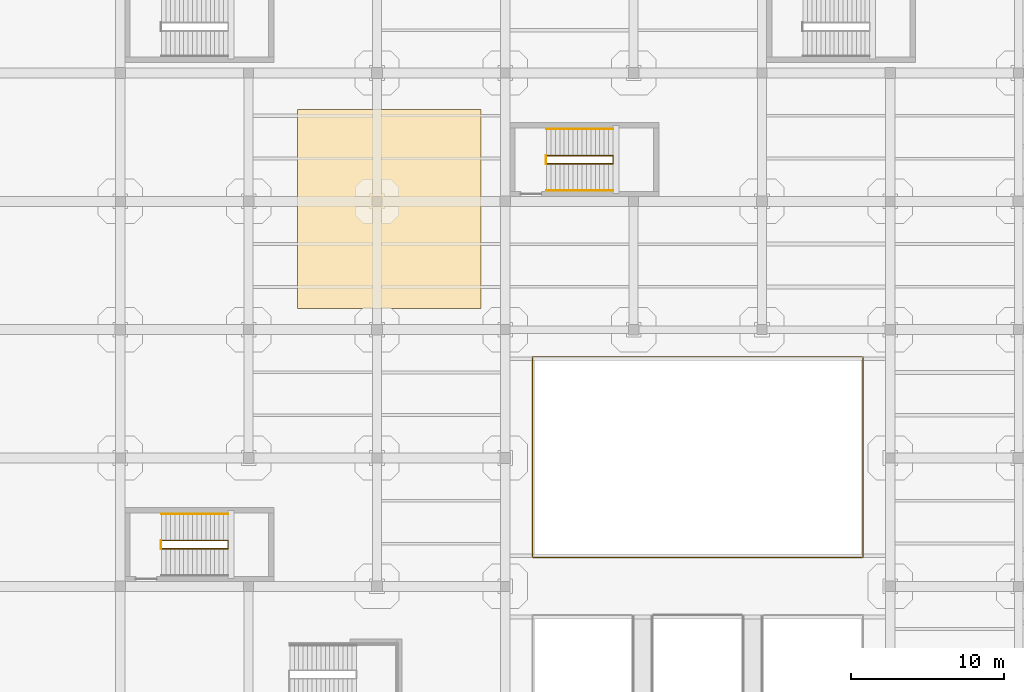
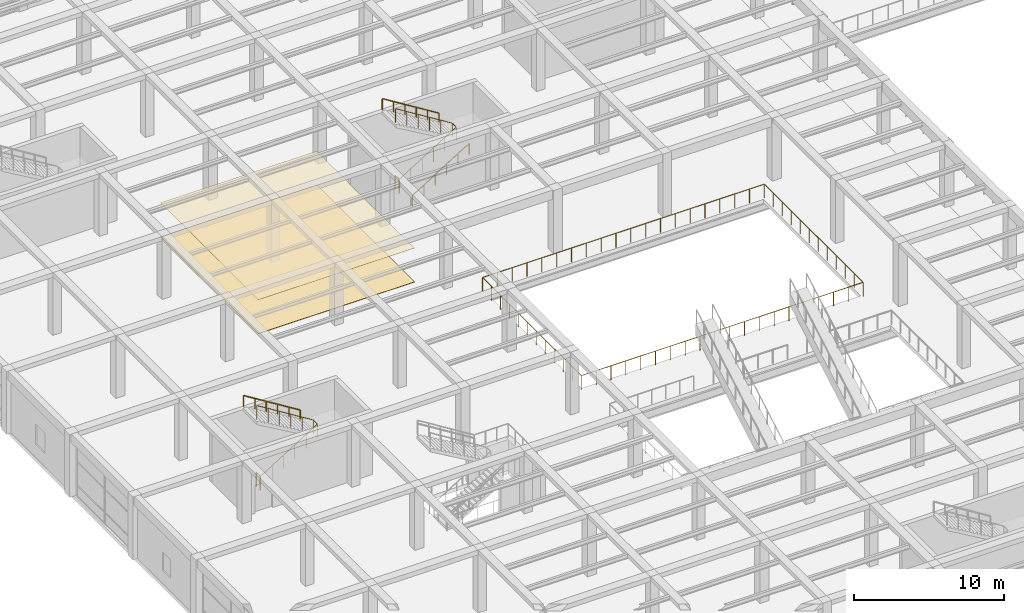
# One storey, part 88 of 95: 8 railings, 2 coverings.
"""IFC4 building model written with IfcOpenShell, lengths in metres."""

from ifc_helpers import new_model, si_unit, direction, frame, origin, origin_2d, place, context, subcontext, project, spatial, polyline, circle, outline, extrude, material, layer, layer_set, type_object, element, save


model = new_model("IFC4")

# Units and contexts
model_context = context("Model", 3, precision=1e-05, world=origin(), true_north=direction((0.0, 1.0)))
body_context = subcontext(model_context, "Body", "Model", "MODEL_VIEW")
ifc_project = project(units=[si_unit("LENGTHUNIT", "METRE"), si_unit("AREAUNIT", "SQUARE_METRE"), si_unit("VOLUMEUNIT", "CUBIC_METRE"), si_unit("PLANEANGLEUNIT", "RADIAN"), si_unit("MASSUNIT", "GRAM", prefix="KILO")], contexts=[model_context])

# Site, building, storey
site_placement = place(None, origin())
site = spatial("IfcSite", under=ifc_project, at=site_placement, CompositionType="ELEMENT")
building_placement = place(site_placement, origin())
building = spatial("IfcBuilding", under=site, at=building_placement, Name="Almacenes y Pasaje Nevantli", CompositionType="ELEMENT")
storey_placement = place(building_placement, frame((0.0, 0.0, 11.39990234375)))
storey = spatial("IfcBuildingStorey", under=building, at=storey_placement, Name="L03", CompositionType="ELEMENT", Elevation=11.39990234375)

# Coverings
ifc_material_1 = material(Name="Perforated Acoustic Mineral Fiber Ceiling", Category="gypsum")
ifc_layer_1 = layer(ifc_material_1, 0.02001953125)
ifc_layer_set_1 = layer_set([ifc_layer_1], Name="Perforated Acoustic Mineral Fiber Ceiling")
covering_type_1 = type_object("IfcCoveringType", Name="COV-CEIL-ACU", PredefinedType="CEILING", material=ifc_layer_set_1)
covering_1_placement = place(storey_placement, frame((0.0, 0.0, 2.75)))
element("IfcCovering", 1, at=covering_1_placement, inside=storey, type_object=covering_type_1, Name="L03 Suspended Acoustic Ceiling Panel", PredefinedType="CEILING", context=body_context, shape_type="SweptSolid", body=[
    extrude(outline(polyline([(20.0, 77.0), (32.0, 77.0), (32.0, 90.0), (20.0, 90.0), (20.0, 77.0)])), origin(), (0.0, 0.0, 1.0), 0.02001953125),
])
ifc_material_2 = material(Name="Polished Toluca Stone Terrazzo Flooring", Category="masonry")
ifc_layer_2 = layer(ifc_material_2, 0.02490234375)
ifc_layer_set_2 = layer_set([ifc_layer_2], Name="Polished Toluca Stone Terrazzo Flooring")
covering_type_2 = type_object("IfcCoveringType", Name="COV-FLR-TERRAZZO", PredefinedType="FLOORING", material=ifc_layer_set_2)
covering_2_placement = place(storey_placement, origin())
element("IfcCovering", 2, at=covering_2_placement, inside=storey, type_object=covering_type_2, Name="L03 Polished Stone Terrazzo Floor Finish", PredefinedType="FLOORING", context=body_context, shape_type="SweptSolid", body=[
    extrude(outline(polyline([(20.0, 77.0), (32.0, 77.0), (32.0, 90.0), (20.0, 90.0), (20.0, 77.0)])), origin(), (0.0, 0.0, 1.0), 0.025146484375),
])

# Railings
ifc_material_3 = material(Name="Brushed Stainless Steel and Tempered Safety Glass", Category="steel")
railing_type_1 = type_object("IfcRailingType", Name="RL-GUARD-1100", PredefinedType="BALUSTRADE", material=ifc_material_3)
railing_1_placement = place(storey_placement, frame((11.10009765625, 61.260009765625, 0.0)))
element("IfcRailing", 3, at=railing_1_placement, inside=storey, type_object=railing_type_1, Name="L03 Stair ST-12 Inner Well Guard Balustrade", PredefinedType="BALUSTRADE", context=body_context, shape_type="SweptSolid", body=[
    extrude(circle(Radius=0.02392578125, at=origin_2d()), frame((0.025390625, 0.0, 1.1416015625), z_axis=(0.849615114927, 0.0, 0.52740322002), x_axis=(0.0, 1.0, 0.0)), (0.0, 0.0, 1.0), 5.059814453125),
    extrude(circle(Radius=0.02392578125, at=origin_2d()), frame((4.349853515625, 0.030029296875, 3.826171875), z_axis=(0.0, 1.0, 0.0), x_axis=(-1.0, 0.0, 0.0)), (0.0, 0.0, 1.0), 0.469970703125),
    extrude(circle(Radius=0.02392578125, at=origin_2d()), frame((4.324462890625, 0.530029296875, 3.841796875), z_axis=(-0.849636482215, 0.0, 0.527368797038), x_axis=(0.0, -1.0, 0.0)), (0.0, 0.0, 1.0), 5.0595703125),
    extrude(circle(Radius=0.02099609375, at=origin_2d()), origin(), (0.0, 0.0, 1.0), 1.096923828125),
    extrude(circle(Radius=0.02099609375, at=origin_2d()), frame((0.869873046875, 0.0, 0.5400390625)), (0.0, 0.0, 1.0), 1.096923828125),
    extrude(circle(Radius=0.02099609375, at=origin_2d()), frame((1.739990234375, 0.0, 1.080078125)), (0.0, 0.0, 1.0), 1.096923828125),
    extrude(circle(Radius=0.02099609375, at=origin_2d()), frame((2.60986328125, 0.0, 1.6201171875)), (0.0, 0.0, 1.0), 1.096923828125),
    extrude(circle(Radius=0.02099609375, at=origin_2d()), frame((3.47998046875, 0.0, 2.16015625)), (0.0, 0.0, 1.0), 1.096923828125),
    extrude(circle(Radius=0.02099609375, at=origin_2d()), frame((4.349853515625, 0.0, 2.7001953125)), (0.0, 0.0, 1.0), 1.096923828125),
    extrude(circle(Radius=0.02099609375, at=origin_2d()), frame((4.349853515625, 0.530029296875, 2.7001953125)), (0.0, 0.0, 1.0), 1.096923828125),
    extrude(circle(Radius=0.02099609375, at=origin_2d()), frame((3.47998046875, 0.530029296875, 3.240234375)), (0.0, 0.0, 1.0), 1.096923828125),
    extrude(circle(Radius=0.02099609375, at=origin_2d()), frame((2.60986328125, 0.530029296875, 3.7802734375)), (0.0, 0.0, 1.0), 1.096923828125),
    extrude(circle(Radius=0.02099609375, at=origin_2d()), frame((1.739990234375, 0.530029296875, 4.320068359375)), (0.0, 0.0, 1.0), 1.096923828125),
    extrude(circle(Radius=0.02099609375, at=origin_2d()), frame((0.869873046875, 0.530029296875, 4.860107421875)), (0.0, 0.0, 1.0), 1.096923828125),
    extrude(circle(Radius=0.02099609375, at=origin_2d()), frame((0.0, 0.530029296875, 5.400146484375)), (0.0, 0.0, 1.0), 1.096923828125),
])
railing_2_placement = place(storey_placement, frame((11.06005859375, 61.260009765625, 0.0)))
element("IfcRailing", 4, at=railing_2_placement, inside=storey, type_object=railing_type_1, Name="L03 Stair ST-12 Landing Well Slot Guard", PredefinedType="BALUSTRADE", context=body_context, shape_type="SweptSolid", body=[
    extrude(circle(Radius=0.02392578125, at=origin_2d()), frame((0.0, 0.030029296875, 1.1259765625), z_axis=(0.0, 1.0, 0.0), x_axis=(-1.0, 0.0, 0.0)), (0.0, 0.0, 1.0), 0.469970703125),
    extrude(circle(Radius=0.02099609375, at=origin_2d()), origin(), (0.0, 0.0, 1.0), 1.096923828125),
    extrude(circle(Radius=0.02099609375, at=origin_2d()), frame((0.0, 0.530029296875, 0.0)), (0.0, 0.0, 1.0), 1.096923828125),
])
railing_3_placement = place(storey_placement, frame((36.300048828125, 86.4599609375, 0.0)))
element("IfcRailing", 5, at=railing_3_placement, inside=storey, type_object=railing_type_1, Name="L03 Stair ST-15 Inner Well Guard Balustrade", PredefinedType="BALUSTRADE", context=body_context, shape_type="SweptSolid", body=[
    extrude(circle(Radius=0.02392578125, at=origin_2d()), frame((0.025390625, 0.0, 1.1416015625), z_axis=(0.849615114927, 0.0, 0.52740322002), x_axis=(0.0, 1.0, 0.0)), (0.0, 0.0, 1.0), 5.059814453125),
    extrude(circle(Radius=0.02392578125, at=origin_2d()), frame((4.349853515625, 0.030029296875, 3.826171875), z_axis=(0.0, 1.0, 0.0), x_axis=(-1.0, 0.0, 0.0)), (0.0, 0.0, 1.0), 0.469970703125),
    extrude(circle(Radius=0.02392578125, at=origin_2d()), frame((4.324462890625, 0.530029296875, 3.841796875), z_axis=(-0.849636482215, 0.0, 0.527368797038), x_axis=(0.0, -1.0, 0.0)), (0.0, 0.0, 1.0), 5.0595703125),
    extrude(circle(Radius=0.02099609375, at=origin_2d()), origin(), (0.0, 0.0, 1.0), 1.096923828125),
    extrude(circle(Radius=0.02099609375, at=origin_2d()), frame((0.869873046875, 0.0, 0.5400390625)), (0.0, 0.0, 1.0), 1.096923828125),
    extrude(circle(Radius=0.02099609375, at=origin_2d()), frame((1.739990234375, 0.0, 1.080078125)), (0.0, 0.0, 1.0), 1.096923828125),
    extrude(circle(Radius=0.02099609375, at=origin_2d()), frame((2.60986328125, 0.0, 1.6201171875)), (0.0, 0.0, 1.0), 1.096923828125),
    extrude(circle(Radius=0.02099609375, at=origin_2d()), frame((3.47998046875, 0.0, 2.16015625)), (0.0, 0.0, 1.0), 1.096923828125),
    extrude(circle(Radius=0.02099609375, at=origin_2d()), frame((4.349853515625, 0.0, 2.7001953125)), (0.0, 0.0, 1.0), 1.096923828125),
    extrude(circle(Radius=0.02099609375, at=origin_2d()), frame((4.349853515625, 0.530029296875, 2.7001953125)), (0.0, 0.0, 1.0), 1.096923828125),
    extrude(circle(Radius=0.02099609375, at=origin_2d()), frame((3.47998046875, 0.530029296875, 3.240234375)), (0.0, 0.0, 1.0), 1.096923828125),
    extrude(circle(Radius=0.02099609375, at=origin_2d()), frame((2.60986328125, 0.530029296875, 3.7802734375)), (0.0, 0.0, 1.0), 1.096923828125),
    extrude(circle(Radius=0.02099609375, at=origin_2d()), frame((1.739990234375, 0.530029296875, 4.320068359375)), (0.0, 0.0, 1.0), 1.096923828125),
    extrude(circle(Radius=0.02099609375, at=origin_2d()), frame((0.869873046875, 0.530029296875, 4.860107421875)), (0.0, 0.0, 1.0), 1.096923828125),
    extrude(circle(Radius=0.02099609375, at=origin_2d()), frame((0.0, 0.530029296875, 5.400146484375)), (0.0, 0.0, 1.0), 1.096923828125),
])
railing_4_placement = place(storey_placement, frame((36.260009765625, 86.4599609375, 0.0)))
element("IfcRailing", 6, at=railing_4_placement, inside=storey, type_object=railing_type_1, Name="L03 Stair ST-15 Landing Well Slot Guard", PredefinedType="BALUSTRADE", context=body_context, shape_type="SweptSolid", body=[
    extrude(circle(Radius=0.02392578125, at=origin_2d()), frame((0.0, 0.030029296875, 1.1259765625), z_axis=(0.0, 1.0, 0.0), x_axis=(-1.0, 0.0, 0.0)), (0.0, 0.0, 1.0), 0.469970703125),
    extrude(circle(Radius=0.02099609375, at=origin_2d()), origin(), (0.0, 0.0, 1.0), 1.096923828125),
    extrude(circle(Radius=0.02099609375, at=origin_2d()), frame((0.0, 0.530029296875, 0.0)), (0.0, 0.0, 1.0), 1.096923828125),
])
railing_5_placement = place(storey_placement, frame((35.3798828125, 60.679931640625, 0.0)))
element("IfcRailing", 7, at=railing_5_placement, inside=storey, type_object=railing_type_1, Name="L03 North Atrium Void Perimeter Guard Balustrade", PredefinedType="BALUSTRADE", context=body_context, shape_type="SweptSolid", body=[
    extrude(circle(Radius=0.02392578125, at=origin_2d()), frame((0.030029296875, 0.0, 1.1259765625), z_axis=(1.0, 0.0, 0.0), x_axis=(0.0, 1.0, 0.0)), (0.0, 0.0, 1.0), 21.580078125),
    extrude(circle(Radius=0.02392578125, at=origin_2d()), frame((21.64013671875, 0.030029296875, 1.1259765625), z_axis=(0.0, 1.0, 0.0), x_axis=(-1.0, 0.0, 0.0)), (0.0, 0.0, 1.0), 13.080078125),
    extrude(circle(Radius=0.02392578125, at=origin_2d()), frame((21.610107421875, 13.14013671875, 1.1259765625), z_axis=(-1.0, 0.0, 0.0), x_axis=(0.0, -1.0, 0.0)), (0.0, 0.0, 1.0), 21.580078125),
    extrude(circle(Radius=0.02392578125, at=origin_2d()), frame((0.0, 13.110107421875, 1.1259765625), z_axis=(0.0, -1.0, 0.0), x_axis=(1.0, 0.0, 0.0)), (0.0, 0.0, 1.0), 13.080078125),
    extrude(circle(Radius=0.02099609375, at=origin_2d()), origin(), (0.0, 0.0, 1.0), 1.096923828125),
    extrude(circle(Radius=0.02099609375, at=origin_2d()), frame((1.138916015625, 0.0, 0.0)), (0.0, 0.0, 1.0), 1.096923828125),
    extrude(circle(Radius=0.02099609375, at=origin_2d()), frame((2.27783203125, 0.0, 0.0)), (0.0, 0.0, 1.0), 1.096923828125),
    extrude(circle(Radius=0.02099609375, at=origin_2d()), frame((3.416748046875, 0.0, 0.0)), (0.0, 0.0, 1.0), 1.096923828125),
    extrude(circle(Radius=0.02099609375, at=origin_2d()), frame((4.555908203125, 0.0, 0.0)), (0.0, 0.0, 1.0), 1.096923828125),
    extrude(circle(Radius=0.02099609375, at=origin_2d()), frame((5.69482421875, 0.0, 0.0)), (0.0, 0.0, 1.0), 1.096923828125),
    extrude(circle(Radius=0.02099609375, at=origin_2d()), frame((6.833740234375, 0.0, 0.0)), (0.0, 0.0, 1.0), 1.096923828125),
    extrude(circle(Radius=0.02099609375, at=origin_2d()), frame((7.97265625, 0.0, 0.0)), (0.0, 0.0, 1.0), 1.096923828125),
    extrude(circle(Radius=0.02099609375, at=origin_2d()), frame((9.111572265625, 0.0, 0.0)), (0.0, 0.0, 1.0), 1.096923828125),
    extrude(circle(Radius=0.02099609375, at=origin_2d()), frame((10.25048828125, 0.0, 0.0)), (0.0, 0.0, 1.0), 1.096923828125),
    extrude(circle(Radius=0.02099609375, at=origin_2d()), frame((11.3896484375, 0.0, 0.0)), (0.0, 0.0, 1.0), 1.096923828125),
    extrude(circle(Radius=0.02099609375, at=origin_2d()), frame((12.528564453125, 0.0, 0.0)), (0.0, 0.0, 1.0), 1.096923828125),
    extrude(circle(Radius=0.02099609375, at=origin_2d()), frame((13.66748046875, 0.0, 0.0)), (0.0, 0.0, 1.0), 1.096923828125),
    extrude(circle(Radius=0.02099609375, at=origin_2d()), frame((14.806396484375, 0.0, 0.0)), (0.0, 0.0, 1.0), 1.096923828125),
    extrude(circle(Radius=0.02099609375, at=origin_2d()), frame((15.9453125, 0.0, 0.0)), (0.0, 0.0, 1.0), 1.096923828125),
    extrude(circle(Radius=0.02099609375, at=origin_2d()), frame((17.084228515625, 0.0, 0.0)), (0.0, 0.0, 1.0), 1.096923828125),
    extrude(circle(Radius=0.02099609375, at=origin_2d()), frame((18.223388671875, 0.0, 0.0)), (0.0, 0.0, 1.0), 1.096923828125),
    extrude(circle(Radius=0.02099609375, at=origin_2d()), frame((19.3623046875, 0.0, 0.0)), (0.0, 0.0, 1.0), 1.096923828125),
    extrude(circle(Radius=0.02099609375, at=origin_2d()), frame((20.501220703125, 0.0, 0.0)), (0.0, 0.0, 1.0), 1.096923828125),
    extrude(circle(Radius=0.02099609375, at=origin_2d()), frame((21.64013671875, 0.0, 0.0)), (0.0, 0.0, 1.0), 1.096923828125),
    extrude(circle(Radius=0.02099609375, at=origin_2d()), frame((21.64013671875, 1.194580078125, 0.0)), (0.0, 0.0, 1.0), 1.096923828125),
    extrude(circle(Radius=0.02099609375, at=origin_2d()), frame((21.64013671875, 2.38916015625, 0.0)), (0.0, 0.0, 1.0), 1.096923828125),
    extrude(circle(Radius=0.02099609375, at=origin_2d()), frame((21.64013671875, 3.583740234375, 0.0)), (0.0, 0.0, 1.0), 1.096923828125),
    extrude(circle(Radius=0.02099609375, at=origin_2d()), frame((21.64013671875, 4.7783203125, 0.0)), (0.0, 0.0, 1.0), 1.096923828125),
    extrude(circle(Radius=0.02099609375, at=origin_2d()), frame((21.64013671875, 5.972900390625, 0.0)), (0.0, 0.0, 1.0), 1.096923828125),
    extrude(circle(Radius=0.02099609375, at=origin_2d()), frame((21.64013671875, 7.167236328125, 0.0)), (0.0, 0.0, 1.0), 1.096923828125),
    extrude(circle(Radius=0.02099609375, at=origin_2d()), frame((21.64013671875, 8.36181640625, 0.0)), (0.0, 0.0, 1.0), 1.096923828125),
    extrude(circle(Radius=0.02099609375, at=origin_2d()), frame((21.64013671875, 9.556396484375, 0.0)), (0.0, 0.0, 1.0), 1.096923828125),
    extrude(circle(Radius=0.02099609375, at=origin_2d()), frame((21.64013671875, 10.7509765625, 0.0)), (0.0, 0.0, 1.0), 1.096923828125),
    extrude(circle(Radius=0.02099609375, at=origin_2d()), frame((21.64013671875, 11.945556640625, 0.0)), (0.0, 0.0, 1.0), 1.096923828125),
    extrude(circle(Radius=0.02099609375, at=origin_2d()), frame((21.64013671875, 13.14013671875, 0.0)), (0.0, 0.0, 1.0), 1.096923828125),
    extrude(circle(Radius=0.02099609375, at=origin_2d()), frame((20.501220703125, 13.14013671875, 0.0)), (0.0, 0.0, 1.0), 1.096923828125),
    extrude(circle(Radius=0.02099609375, at=origin_2d()), frame((19.3623046875, 13.14013671875, 0.0)), (0.0, 0.0, 1.0), 1.096923828125),
    extrude(circle(Radius=0.02099609375, at=origin_2d()), frame((18.223388671875, 13.14013671875, 0.0)), (0.0, 0.0, 1.0), 1.096923828125),
    extrude(circle(Radius=0.02099609375, at=origin_2d()), frame((17.084228515625, 13.14013671875, 0.0)), (0.0, 0.0, 1.0), 1.096923828125),
    extrude(circle(Radius=0.02099609375, at=origin_2d()), frame((15.9453125, 13.14013671875, 0.0)), (0.0, 0.0, 1.0), 1.096923828125),
    extrude(circle(Radius=0.02099609375, at=origin_2d()), frame((14.806396484375, 13.14013671875, 0.0)), (0.0, 0.0, 1.0), 1.096923828125),
    extrude(circle(Radius=0.02099609375, at=origin_2d()), frame((13.66748046875, 13.14013671875, 0.0)), (0.0, 0.0, 1.0), 1.096923828125),
    extrude(circle(Radius=0.02099609375, at=origin_2d()), frame((12.528564453125, 13.14013671875, 0.0)), (0.0, 0.0, 1.0), 1.096923828125),
    extrude(circle(Radius=0.02099609375, at=origin_2d()), frame((11.3896484375, 13.14013671875, 0.0)), (0.0, 0.0, 1.0), 1.096923828125),
    extrude(circle(Radius=0.02099609375, at=origin_2d()), frame((10.25048828125, 13.14013671875, 0.0)), (0.0, 0.0, 1.0), 1.096923828125),
    extrude(circle(Radius=0.02099609375, at=origin_2d()), frame((9.111572265625, 13.14013671875, 0.0)), (0.0, 0.0, 1.0), 1.096923828125),
    extrude(circle(Radius=0.02099609375, at=origin_2d()), frame((7.97265625, 13.14013671875, 0.0)), (0.0, 0.0, 1.0), 1.096923828125),
    extrude(circle(Radius=0.02099609375, at=origin_2d()), frame((6.833740234375, 13.14013671875, 0.0)), (0.0, 0.0, 1.0), 1.096923828125),
    extrude(circle(Radius=0.02099609375, at=origin_2d()), frame((5.69482421875, 13.14013671875, 0.0)), (0.0, 0.0, 1.0), 1.096923828125),
    extrude(circle(Radius=0.02099609375, at=origin_2d()), frame((4.555908203125, 13.14013671875, 0.0)), (0.0, 0.0, 1.0), 1.096923828125),
    extrude(circle(Radius=0.02099609375, at=origin_2d()), frame((3.416748046875, 13.14013671875, 0.0)), (0.0, 0.0, 1.0), 1.096923828125),
    extrude(circle(Radius=0.02099609375, at=origin_2d()), frame((2.27783203125, 13.14013671875, 0.0)), (0.0, 0.0, 1.0), 1.096923828125),
    extrude(circle(Radius=0.02099609375, at=origin_2d()), frame((1.138916015625, 13.14013671875, 0.0)), (0.0, 0.0, 1.0), 1.096923828125),
    extrude(circle(Radius=0.02099609375, at=origin_2d()), frame((0.0, 13.14013671875, 0.0)), (0.0, 0.0, 1.0), 1.096923828125),
    extrude(circle(Radius=0.02099609375, at=origin_2d()), frame((0.0, 11.945556640625, 0.0)), (0.0, 0.0, 1.0), 1.096923828125),
    extrude(circle(Radius=0.02099609375, at=origin_2d()), frame((0.0, 10.7509765625, 0.0)), (0.0, 0.0, 1.0), 1.096923828125),
    extrude(circle(Radius=0.02099609375, at=origin_2d()), frame((0.0, 9.556396484375, 0.0)), (0.0, 0.0, 1.0), 1.096923828125),
    extrude(circle(Radius=0.02099609375, at=origin_2d()), frame((0.0, 8.36181640625, 0.0)), (0.0, 0.0, 1.0), 1.096923828125),
    extrude(circle(Radius=0.02099609375, at=origin_2d()), frame((0.0, 7.167236328125, 0.0)), (0.0, 0.0, 1.0), 1.096923828125),
    extrude(circle(Radius=0.02099609375, at=origin_2d()), frame((0.0, 5.972900390625, 0.0)), (0.0, 0.0, 1.0), 1.096923828125),
    extrude(circle(Radius=0.02099609375, at=origin_2d()), frame((0.0, 4.7783203125, 0.0)), (0.0, 0.0, 1.0), 1.096923828125),
    extrude(circle(Radius=0.02099609375, at=origin_2d()), frame((0.0, 3.583740234375, 0.0)), (0.0, 0.0, 1.0), 1.096923828125),
    extrude(circle(Radius=0.02099609375, at=origin_2d()), frame((0.0, 2.38916015625, 0.0)), (0.0, 0.0, 1.0), 1.096923828125),
    extrude(circle(Radius=0.02099609375, at=origin_2d()), frame((0.0, 1.194580078125, 0.0)), (0.0, 0.0, 1.0), 1.096923828125),
])
ifc_material_4 = material(Name="Brushed Stainless Steel Tube", Category="steel")
railing_type_2 = type_object("IfcRailingType", Name="RL-HANDRAIL-900", PredefinedType="HANDRAIL", material=ifc_material_4)
railing_6_placement = place(storey_placement, frame((15.449951171875, 63.5400390625, 2.7001953125)))
element("IfcRailing", 8, at=railing_6_placement, inside=storey, type_object=railing_type_2, Name="L03 Stair ST-12 Upper Flight Handrail", PredefinedType="HANDRAIL", context=body_context, shape_type="SweptSolid", body=[
    extrude(circle(Radius=0.02392578125, at=origin_2d()), frame((-0.025390625, 0.0, 0.8916015625), z_axis=(-0.849636482215, 0.0, 0.527368797038), x_axis=(0.0, -1.0, 0.0)), (0.0, 0.0, 1.0), 5.0595703125),
    extrude(circle(Radius=0.02099609375, at=origin_2d()), origin(), (0.0, 0.0, 1.0), 0.846923828125),
    extrude(circle(Radius=0.02099609375, at=origin_2d()), frame((-0.869873046875, 0.0, 0.5400390625)), (0.0, 0.0, 1.0), 0.846923828125),
    extrude(circle(Radius=0.02099609375, at=origin_2d()), frame((-1.739990234375, 0.0, 1.080078125)), (0.0, 0.0, 1.0), 0.846923828125),
    extrude(circle(Radius=0.02099609375, at=origin_2d()), frame((-2.60986328125, 0.0, 1.619873046875)), (0.0, 0.0, 1.0), 0.846923828125),
    extrude(circle(Radius=0.02099609375, at=origin_2d()), frame((-3.47998046875, 0.0, 2.159912109375)), (0.0, 0.0, 1.0), 0.846923828125),
    extrude(circle(Radius=0.02099609375, at=origin_2d()), frame((-4.349853515625, 0.0, 2.699951171875)), (0.0, 0.0, 1.0), 0.846923828125),
])
railing_7_placement = place(storey_placement, frame((36.300048828125, 84.7099609375, 0.0)))
element("IfcRailing", 9, at=railing_7_placement, inside=storey, type_object=railing_type_2, Name="L03 Stair ST-15 Lower Flight Handrail", PredefinedType="HANDRAIL", context=body_context, shape_type="SweptSolid", body=[
    extrude(circle(Radius=0.02392578125, at=origin_2d()), frame((0.025390625, 0.0, 0.8916015625), z_axis=(0.849615114927, 0.0, 0.52740322002), x_axis=(0.0, 1.0, 0.0)), (0.0, 0.0, 1.0), 5.059814453125),
    extrude(circle(Radius=0.02099609375, at=origin_2d()), origin(), (0.0, 0.0, 1.0), 0.846923828125),
    extrude(circle(Radius=0.02099609375, at=origin_2d()), frame((0.869873046875, 0.0, 0.5400390625)), (0.0, 0.0, 1.0), 0.846923828125),
    extrude(circle(Radius=0.02099609375, at=origin_2d()), frame((1.739990234375, 0.0, 1.080078125)), (0.0, 0.0, 1.0), 0.846923828125),
    extrude(circle(Radius=0.02099609375, at=origin_2d()), frame((2.60986328125, 0.0, 1.6201171875)), (0.0, 0.0, 1.0), 0.846923828125),
    extrude(circle(Radius=0.02099609375, at=origin_2d()), frame((3.47998046875, 0.0, 2.16015625)), (0.0, 0.0, 1.0), 0.846923828125),
    extrude(circle(Radius=0.02099609375, at=origin_2d()), frame((4.349853515625, 0.0, 2.7001953125)), (0.0, 0.0, 1.0), 0.846923828125),
])
railing_8_placement = place(storey_placement, frame((40.64990234375, 88.739990234375, 2.7001953125)))
element("IfcRailing", 10, at=railing_8_placement, inside=storey, type_object=railing_type_2, Name="L03 Stair ST-15 Upper Flight Handrail", PredefinedType="HANDRAIL", context=body_context, shape_type="SweptSolid", body=[
    extrude(circle(Radius=0.02392578125, at=origin_2d()), frame((-0.025390625, 0.0, 0.8916015625), z_axis=(-0.849636482215, 0.0, 0.527368797038), x_axis=(0.0, -1.0, 0.0)), (0.0, 0.0, 1.0), 5.0595703125),
    extrude(circle(Radius=0.02099609375, at=origin_2d()), origin(), (0.0, 0.0, 1.0), 0.846923828125),
    extrude(circle(Radius=0.02099609375, at=origin_2d()), frame((-0.869873046875, 0.0, 0.5400390625)), (0.0, 0.0, 1.0), 0.846923828125),
    extrude(circle(Radius=0.02099609375, at=origin_2d()), frame((-1.739990234375, 0.0, 1.080078125)), (0.0, 0.0, 1.0), 0.846923828125),
    extrude(circle(Radius=0.02099609375, at=origin_2d()), frame((-2.60986328125, 0.0, 1.619873046875)), (0.0, 0.0, 1.0), 0.846923828125),
    extrude(circle(Radius=0.02099609375, at=origin_2d()), frame((-3.47998046875, 0.0, 2.159912109375)), (0.0, 0.0, 1.0), 0.846923828125),
    extrude(circle(Radius=0.02099609375, at=origin_2d()), frame((-4.349853515625, 0.0, 2.699951171875)), (0.0, 0.0, 1.0), 0.846923828125),
])

save(model, "model.ifc")
